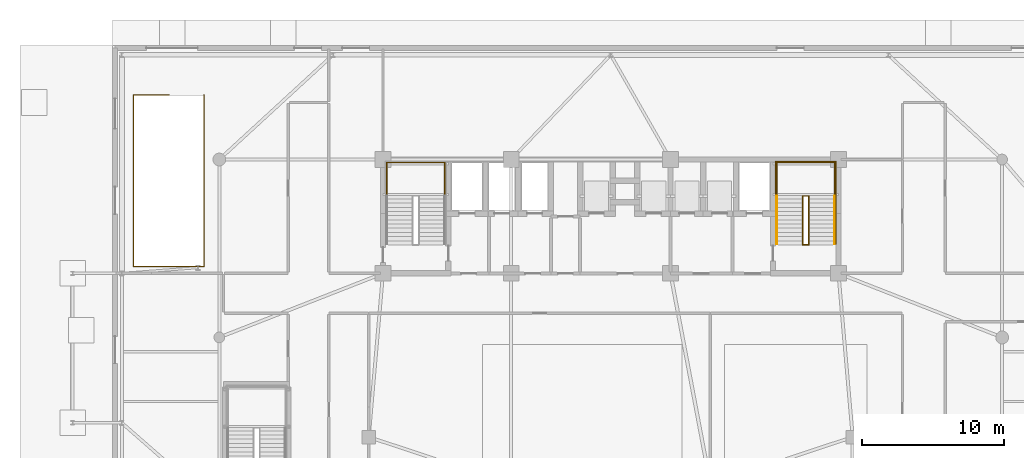
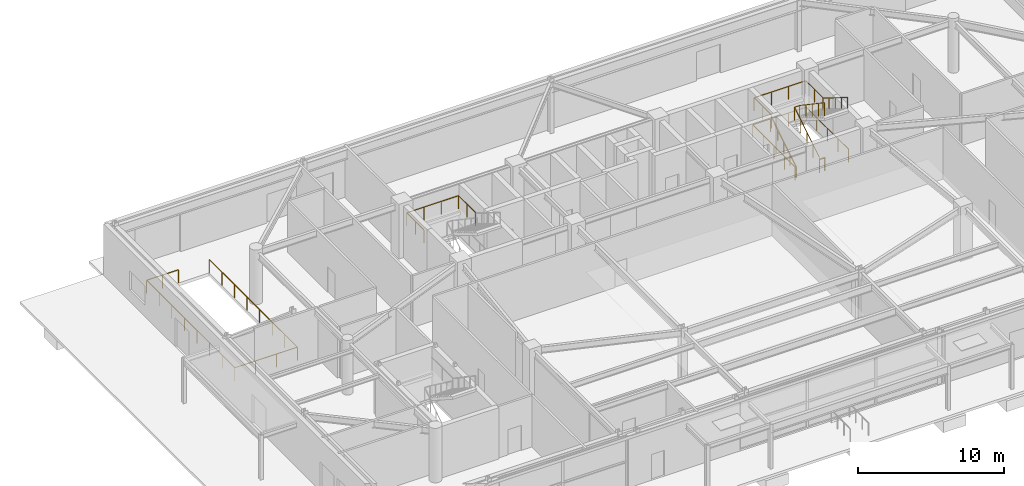
# One storey, part 27 of 29: 8 railings.
"""IFC4 building model written with IfcOpenShell, lengths in metres."""

from ifc_helpers import new_model, si_unit, direction, frame, origin, origin_2d, place, context, subcontext, project, spatial, rectangle, extrude, material, layer, layer_set, type_object, element, save


model = new_model("IFC4")

# Units and contexts
model_context = context("Model", 3, precision=1e-05, world=origin(), true_north=direction((0.0, 1.0)))
body_context = subcontext(model_context, "Body", "Model", "MODEL_VIEW")
ifc_project = project(units=[si_unit("LENGTHUNIT", "METRE"), si_unit("AREAUNIT", "SQUARE_METRE"), si_unit("VOLUMEUNIT", "CUBIC_METRE"), si_unit("PLANEANGLEUNIT", "RADIAN"), si_unit("MASSUNIT", "GRAM", prefix="KILO")], contexts=[model_context])

# Site, building, storey
site_placement = place(None, origin())
site = spatial("IfcSite", under=ifc_project, at=site_placement, CompositionType="ELEMENT")
building_placement = place(site_placement, origin())
building = spatial("IfcBuilding", under=site, at=building_placement, Name="Taldren Reach Tower", CompositionType="ELEMENT")
storey_placement = place(building_placement, origin())
storey = spatial("IfcBuildingStorey", under=building, at=storey_placement, Name="L00", CompositionType="ELEMENT", Elevation=0.0)

# Railings
ifc_material_1 = material(Name="Steel Gr 350 (C350L0)", Category="steel")
ifc_layer_1 = layer(ifc_material_1, 0.050048828125)
ifc_layer_set_1 = layer_set([ifc_layer_1], Name="Steel Gr 350 (C350L0)")
railing_type_1 = type_object("IfcRailingType", Name="RL-STAIR-GR", PredefinedType="GUARDRAIL", material=ifc_layer_set_1)
for number, where, name in (
    (1, (19.260009765625, 29.429931640625, 2.27490234375), "Stair half-landing perimeter guard ST1-L00"),
    (2, (46.659912109375, 29.429931640625, 2.27490234375), "Stair half-landing perimeter guard ST2-L00"),
):
    element("IfcRailing", number, at=place(storey_placement, frame(where)), inside=storey, type_object=railing_type_1, Name=name, PredefinedType="GUARDRAIL", context=body_context, shape_type="SweptSolid", body=[
        extrude(rectangle(XDim=0.047852, YDim=0.047852, at=origin_2d()), frame((0.0, 0.0, 1.09619140625), z_axis=(0.0, 1.0, 0.0), x_axis=(-1.0, 0.0, 0.0)), (0.0, 0.0, 1.0), 2.35009765625),
        extrude(rectangle(XDim=0.047852, YDim=0.047852, at=origin_2d()), frame((0.0, 2.35009765625, 1.09619140625), z_axis=(1.0, 0.0, 0.0), x_axis=(0.0, 1.0, 0.0)), (0.0, 0.0, 1.0), 4.080078125),
        extrude(rectangle(XDim=0.047852, YDim=0.047852, at=origin_2d()), frame((4.080078125, 2.35009765625, 1.09619140625), z_axis=(0.0, -1.0, 0.0), x_axis=(1.0, 0.0, 0.0)), (0.0, 0.0, 1.0), 2.35009765625),
        extrude(rectangle(XDim=0.041992, YDim=0.041992, at=origin_2d()), origin(), (0.0, 0.0, 1.0), 1.072021484375),
        extrude(rectangle(XDim=0.041992, YDim=0.041992, at=origin_2d()), frame((0.0, 1.175048828125, 0.0)), (0.0, 0.0, 1.0), 1.072021484375),
        extrude(rectangle(XDim=0.041992, YDim=0.041992, at=origin_2d()), frame((0.0, 2.35009765625, 0.0)), (0.0, 0.0, 1.0), 1.072021484375),
        extrude(rectangle(XDim=0.041992, YDim=0.041992, at=origin_2d()), frame((1.360107421875, 2.35009765625, 0.0)), (0.0, 0.0, 1.0), 1.072021484375),
        extrude(rectangle(XDim=0.041992, YDim=0.041992, at=origin_2d()), frame((2.719970703125, 2.35009765625, 0.0)), (0.0, 0.0, 1.0), 1.072021484375),
        extrude(rectangle(XDim=0.041992, YDim=0.041992, at=origin_2d()), frame((4.080078125, 2.35009765625, 0.0)), (0.0, 0.0, 1.0), 1.072021484375),
        extrude(rectangle(XDim=0.041992, YDim=0.041992, at=origin_2d()), frame((4.080078125, 1.175048828125, 0.0)), (0.0, 0.0, 1.0), 1.072021484375),
        extrude(rectangle(XDim=0.041992, YDim=0.041992, at=origin_2d()), frame((4.080078125, 0.0, 0.0)), (0.0, 0.0, 1.0), 1.072021484375),
    ])
railing_1_placement = place(storey_placement, frame((48.489990234375, 26.050048828125, 0.175048828125)))
element("IfcRailing", 3, at=railing_1_placement, inside=storey, type_object=railing_type_1, Name="Stairwell inner guard ST2-L00", PredefinedType="GUARDRAIL", context=body_context, shape_type="SweptSolid", body=[
    extrude(rectangle(XDim=0.047852, YDim=0.047852, at=origin_2d()), frame((0.0, 0.0, 1.09619140625), z_axis=(0.0, 0.849415414752, 0.527724789243), x_axis=(-1.0, 0.0, 0.0)), (0.0, 0.0, 1.0), 3.97900390625),
    extrude(rectangle(XDim=0.047852, YDim=0.047852, at=origin_2d()), frame((0.0, 3.3798828125, 3.19580078125), z_axis=(1.0, 0.0, 0.0), x_axis=(0.0, 1.0, 0.0)), (0.0, 0.0, 1.0), 0.419921875),
    extrude(rectangle(XDim=0.047852, YDim=0.047852, at=origin_2d()), frame((0.419921875, 3.3798828125, 3.19580078125), z_axis=(0.0, -0.829562124655, 0.558414435109), x_axis=(1.0, 0.0, 0.0)), (0.0, 0.0, 1.0), 4.07421875),
    extrude(rectangle(XDim=0.041992, YDim=0.041992, at=origin_2d()), origin(), (0.0, 0.0, 1.0), 1.072021484375),
    extrude(rectangle(XDim=0.041992, YDim=0.041992, at=origin_2d()), frame((0.0, 0.844970703125, 0.52490234375)), (0.0, 0.0, 1.0), 1.072021484375),
    extrude(rectangle(XDim=0.041992, YDim=0.041992, at=origin_2d()), frame((0.0, 1.68994140625, 1.0498046875)), (0.0, 0.0, 1.0), 1.072021484375),
    extrude(rectangle(XDim=0.041992, YDim=0.041992, at=origin_2d()), frame((0.0, 2.534912109375, 1.574951171875)), (0.0, 0.0, 1.0), 1.072021484375),
    extrude(rectangle(XDim=0.041992, YDim=0.041992, at=origin_2d()), frame((0.0, 3.3798828125, 2.099853515625)), (0.0, 0.0, 1.0), 1.072021484375),
    extrude(rectangle(XDim=0.041992, YDim=0.041992, at=origin_2d()), frame((0.419921875, 3.3798828125, 2.099853515625)), (0.0, 0.0, 1.0), 1.072021484375),
    extrude(rectangle(XDim=0.041992, YDim=0.041992, at=origin_2d()), frame((0.419921875, 2.534912109375, 2.668701171875)), (0.0, 0.0, 1.0), 1.072021484375),
    extrude(rectangle(XDim=0.041992, YDim=0.041992, at=origin_2d()), frame((0.419921875, 1.68994140625, 3.2373046875)), (0.0, 0.0, 1.0), 1.072021484375),
    extrude(rectangle(XDim=0.041992, YDim=0.041992, at=origin_2d()), frame((0.419921875, 0.844970703125, 3.80615234375)), (0.0, 0.0, 1.0), 1.072021484375),
    extrude(rectangle(XDim=0.041992, YDim=0.041992, at=origin_2d()), frame((0.419921875, 0.0, 4.375)), (0.0, 0.0, 1.0), 1.072021484375),
])
railing_2_placement = place(storey_placement, frame((48.489990234375, 26.010009765625, 0.0)))
element("IfcRailing", 4, at=railing_2_placement, inside=storey, type_object=railing_type_1, Name="Stairwell landing slot guard ST2-L00", PredefinedType="GUARDRAIL", context=body_context, shape_type="SweptSolid", body=[
    extrude(rectangle(XDim=0.047852, YDim=0.047852, at=origin_2d()), frame((0.0, 0.0, 1.09619140625), z_axis=(1.0, 0.0, 0.0), x_axis=(0.0, 1.0, 0.0)), (0.0, 0.0, 1.0), 0.419921875),
    extrude(rectangle(XDim=0.041992, YDim=0.041992, at=origin_2d()), origin(), (0.0, 0.0, 1.0), 1.072021484375),
    extrude(rectangle(XDim=0.041992, YDim=0.041992, at=origin_2d()), frame((0.419921875, 0.0, 0.0)), (0.0, 0.0, 1.0), 1.072021484375),
])
railing_3_placement = place(storey_placement, frame((46.590087890625, 26.050048828125, 0.0)))
element("IfcRailing", 5, at=railing_3_placement, inside=storey, type_object=railing_type_1, Name="Stairwell floor opening guard ST2-L00", PredefinedType="GUARDRAIL", context=body_context, shape_type="SweptSolid", body=[
    extrude(rectangle(XDim=0.047852, YDim=0.047852, at=origin_2d()), frame((0.0, 0.0, 1.09619140625), z_axis=(0.0, 1.0, 0.0), x_axis=(-1.0, 0.0, 0.0)), (0.0, 0.0, 1.0), 5.800048828125),
    extrude(rectangle(XDim=0.047852, YDim=0.047852, at=origin_2d()), frame((0.0, 5.800048828125, 1.09619140625), z_axis=(1.0, 0.0, 0.0), x_axis=(0.0, 1.0, 0.0)), (0.0, 0.0, 1.0), 4.219970703125),
    extrude(rectangle(XDim=0.047852, YDim=0.047852, at=origin_2d()), frame((4.219970703125, 5.800048828125, 1.09619140625), z_axis=(0.0, -1.0, 0.0), x_axis=(1.0, 0.0, 0.0)), (0.0, 0.0, 1.0), 5.800048828125),
    extrude(rectangle(XDim=0.041992, YDim=0.041992, at=origin_2d()), origin(), (0.0, 0.0, 1.0), 1.072021484375),
    extrude(rectangle(XDim=0.041992, YDim=0.041992, at=origin_2d()), frame((0.0, 1.449951171875, 0.0)), (0.0, 0.0, 1.0), 1.072021484375),
    extrude(rectangle(XDim=0.041992, YDim=0.041992, at=origin_2d()), frame((0.0, 2.89990234375, 0.0)), (0.0, 0.0, 1.0), 1.072021484375),
    extrude(rectangle(XDim=0.041992, YDim=0.041992, at=origin_2d()), frame((0.0, 4.35009765625, 0.0)), (0.0, 0.0, 1.0), 1.072021484375),
    extrude(rectangle(XDim=0.041992, YDim=0.041992, at=origin_2d()), frame((0.0, 5.800048828125, 0.0)), (0.0, 0.0, 1.0), 1.072021484375),
    extrude(rectangle(XDim=0.041992, YDim=0.041992, at=origin_2d()), frame((1.40673828125, 5.800048828125, 0.0)), (0.0, 0.0, 1.0), 1.072021484375),
    extrude(rectangle(XDim=0.041992, YDim=0.041992, at=origin_2d()), frame((2.813232421875, 5.800048828125, 0.0)), (0.0, 0.0, 1.0), 1.072021484375),
    extrude(rectangle(XDim=0.041992, YDim=0.041992, at=origin_2d()), frame((4.219970703125, 5.800048828125, 0.0)), (0.0, 0.0, 1.0), 1.072021484375),
    extrude(rectangle(XDim=0.041992, YDim=0.041992, at=origin_2d()), frame((4.219970703125, 4.35009765625, 0.0)), (0.0, 0.0, 1.0), 1.072021484375),
    extrude(rectangle(XDim=0.041992, YDim=0.041992, at=origin_2d()), frame((4.219970703125, 2.89990234375, 0.0)), (0.0, 0.0, 1.0), 1.072021484375),
    extrude(rectangle(XDim=0.041992, YDim=0.041992, at=origin_2d()), frame((4.219970703125, 1.449951171875, 0.0)), (0.0, 0.0, 1.0), 1.072021484375),
    extrude(rectangle(XDim=0.041992, YDim=0.041992, at=origin_2d()), frame((4.219970703125, 0.0, 0.0)), (0.0, 0.0, 1.0), 1.072021484375),
])
railing_4_placement = place(storey_placement, frame((3.97998046875, 36.52001953125, 0.0)))
element("IfcRailing", 6, at=railing_4_placement, inside=storey, type_object=railing_type_1, Name="Ground L00 ramp opening perimeter guardrail", PredefinedType="GUARDRAIL", context=body_context, shape_type="SweptSolid", body=[
    extrude(rectangle(XDim=0.047852, YDim=0.047852, at=origin_2d()), frame((0.0, 0.0, 1.09619140625), z_axis=(-1.0, 0.0, 0.0), x_axis=(0.0, -1.0, 0.0)), (0.0, 0.0, 1.0), 2.5),
    extrude(rectangle(XDim=0.047852, YDim=0.047852, at=origin_2d()), frame((-2.5, 0.0, 1.09619140625), z_axis=(0.0, -1.0, 0.0), x_axis=(1.0, 0.0, 0.0)), (0.0, 0.0, 1.0), 12.0400390625),
    extrude(rectangle(XDim=0.047852, YDim=0.047852, at=origin_2d()), frame((-2.5, -12.0400390625, 1.09619140625), z_axis=(1.0, 0.0, 0.0), x_axis=(0.0, 1.0, 0.0)), (0.0, 0.0, 1.0), 4.93994140625),
    extrude(rectangle(XDim=0.047852, YDim=0.047852, at=origin_2d()), frame((2.43994140625, -12.0400390625, 1.09619140625), z_axis=(0.0, 1.0, 0.0), x_axis=(-1.0, 0.0, 0.0)), (0.0, 0.0, 1.0), 12.0400390625),
    extrude(rectangle(XDim=0.041992, YDim=0.041992, at=origin_2d()), origin(), (0.0, 0.0, 1.0), 1.072021484375),
    extrude(rectangle(XDim=0.041992, YDim=0.041992, at=origin_2d()), frame((-1.25, 0.0, 0.0)), (0.0, 0.0, 1.0), 1.072021484375),
    extrude(rectangle(XDim=0.041992, YDim=0.041992, at=origin_2d()), frame((-2.5, 0.0, 0.0)), (0.0, 0.0, 1.0), 1.072021484375),
    extrude(rectangle(XDim=0.041992, YDim=0.041992, at=origin_2d()), frame((-2.5, -1.719970703125, 0.0)), (0.0, 0.0, 1.0), 1.072021484375),
    extrude(rectangle(XDim=0.041992, YDim=0.041992, at=origin_2d()), frame((-2.5, -3.43994140625, 0.0)), (0.0, 0.0, 1.0), 1.072021484375),
    extrude(rectangle(XDim=0.041992, YDim=0.041992, at=origin_2d()), frame((-2.5, -5.159912109375, 0.0)), (0.0, 0.0, 1.0), 1.072021484375),
    extrude(rectangle(XDim=0.041992, YDim=0.041992, at=origin_2d()), frame((-2.5, -6.880126953125, 0.0)), (0.0, 0.0, 1.0), 1.072021484375),
    extrude(rectangle(XDim=0.041992, YDim=0.041992, at=origin_2d()), frame((-2.5, -8.60009765625, 0.0)), (0.0, 0.0, 1.0), 1.072021484375),
    extrude(rectangle(XDim=0.041992, YDim=0.041992, at=origin_2d()), frame((-2.5, -10.320068359375, 0.0)), (0.0, 0.0, 1.0), 1.072021484375),
    extrude(rectangle(XDim=0.041992, YDim=0.041992, at=origin_2d()), frame((-2.5, -12.0400390625, 0.0)), (0.0, 0.0, 1.0), 1.072021484375),
    extrude(rectangle(XDim=0.041992, YDim=0.041992, at=origin_2d()), frame((-0.853271484375, -12.0400390625, 0.0)), (0.0, 0.0, 1.0), 1.072021484375),
    extrude(rectangle(XDim=0.041992, YDim=0.041992, at=origin_2d()), frame((0.793212890625, -12.0400390625, 0.0)), (0.0, 0.0, 1.0), 1.072021484375),
    extrude(rectangle(XDim=0.041992, YDim=0.041992, at=origin_2d()), frame((2.43994140625, -12.0400390625, 0.0)), (0.0, 0.0, 1.0), 1.072021484375),
    extrude(rectangle(XDim=0.041992, YDim=0.041992, at=origin_2d()), frame((2.43994140625, -10.320068359375, 0.0)), (0.0, 0.0, 1.0), 1.072021484375),
    extrude(rectangle(XDim=0.041992, YDim=0.041992, at=origin_2d()), frame((2.43994140625, -8.60009765625, 0.0)), (0.0, 0.0, 1.0), 1.072021484375),
    extrude(rectangle(XDim=0.041992, YDim=0.041992, at=origin_2d()), frame((2.43994140625, -6.880126953125, 0.0)), (0.0, 0.0, 1.0), 1.072021484375),
    extrude(rectangle(XDim=0.041992, YDim=0.041992, at=origin_2d()), frame((2.43994140625, -5.159912109375, 0.0)), (0.0, 0.0, 1.0), 1.072021484375),
    extrude(rectangle(XDim=0.041992, YDim=0.041992, at=origin_2d()), frame((2.43994140625, -3.43994140625, 0.0)), (0.0, 0.0, 1.0), 1.072021484375),
    extrude(rectangle(XDim=0.041992, YDim=0.041992, at=origin_2d()), frame((2.43994140625, -1.719970703125, 0.0)), (0.0, 0.0, 1.0), 1.072021484375),
    extrude(rectangle(XDim=0.041992, YDim=0.041992, at=origin_2d()), frame((2.43994140625, 0.0, 0.0)), (0.0, 0.0, 1.0), 1.072021484375),
])
ifc_material_2 = material(Name="Stainless Steel Gr 316", Category="steel")
ifc_layer_2 = layer(ifc_material_2, 0.048095703125)
ifc_layer_set_2 = layer_set([ifc_layer_2], Name="Stainless Steel Gr 316")
railing_type_2 = type_object("IfcRailingType", Name="RL-STAIR-HR", PredefinedType="HANDRAIL", material=ifc_layer_set_2)
railing_5_placement = place(storey_placement, frame((46.669921875, 26.050048828125, 0.175048828125)))
element("IfcRailing", 7, at=railing_5_placement, inside=storey, type_object=railing_type_2, Name="Stair flight handrail ST2-L00-1", PredefinedType="HANDRAIL", context=body_context, shape_type="SweptSolid", body=[
    extrude(rectangle(XDim=0.047852, YDim=0.047852, at=origin_2d()), frame((0.0, 0.0, 0.89599609375), z_axis=(0.0, 0.849415414752, 0.527724789243), x_axis=(-1.0, 0.0, 0.0)), (0.0, 0.0, 1.0), 3.97900390625),
    extrude(rectangle(XDim=0.041992, YDim=0.041992, at=origin_2d()), origin(), (0.0, 0.0, 1.0), 0.871826171875),
    extrude(rectangle(XDim=0.041992, YDim=0.041992, at=origin_2d()), frame((0.0, 0.844970703125, 0.52490234375)), (0.0, 0.0, 1.0), 0.871826171875),
    extrude(rectangle(XDim=0.041992, YDim=0.041992, at=origin_2d()), frame((0.0, 1.68994140625, 1.0498046875)), (0.0, 0.0, 1.0), 0.871826171875),
    extrude(rectangle(XDim=0.041992, YDim=0.041992, at=origin_2d()), frame((0.0, 2.534912109375, 1.574951171875)), (0.0, 0.0, 1.0), 0.871826171875),
    extrude(rectangle(XDim=0.041992, YDim=0.041992, at=origin_2d()), frame((0.0, 3.3798828125, 2.099853515625)), (0.0, 0.0, 1.0), 0.871826171875),
])
railing_6_placement = place(storey_placement, frame((50.72998046875, 29.429931640625, 2.449951171875)))
element("IfcRailing", 8, at=railing_6_placement, inside=storey, type_object=railing_type_2, Name="Stair flight handrail ST2-L00-2", PredefinedType="HANDRAIL", context=body_context, shape_type="SweptSolid", body=[
    extrude(rectangle(XDim=0.047852, YDim=0.047852, at=origin_2d()), frame((0.0, 0.0, 0.89599609375), z_axis=(0.0, -0.849387911102, 0.527769056003), x_axis=(1.0, 0.0, 0.0)), (0.0, 0.0, 1.0), 3.979248046875),
    extrude(rectangle(XDim=0.041992, YDim=0.041992, at=origin_2d()), origin(), (0.0, 0.0, 1.0), 0.871826171875),
    extrude(rectangle(XDim=0.041992, YDim=0.041992, at=origin_2d()), frame((0.0, -0.844970703125, 0.52490234375)), (0.0, 0.0, 1.0), 0.871826171875),
    extrude(rectangle(XDim=0.041992, YDim=0.041992, at=origin_2d()), frame((0.0, -1.68994140625, 1.050048828125)), (0.0, 0.0, 1.0), 0.871826171875),
    extrude(rectangle(XDim=0.041992, YDim=0.041992, at=origin_2d()), frame((0.0, -2.534912109375, 1.5751953125)), (0.0, 0.0, 1.0), 0.871826171875),
    extrude(rectangle(XDim=0.041992, YDim=0.041992, at=origin_2d()), frame((0.0, -3.3798828125, 2.10009765625)), (0.0, 0.0, 1.0), 0.871826171875),
])

save(model, "model.ifc")
